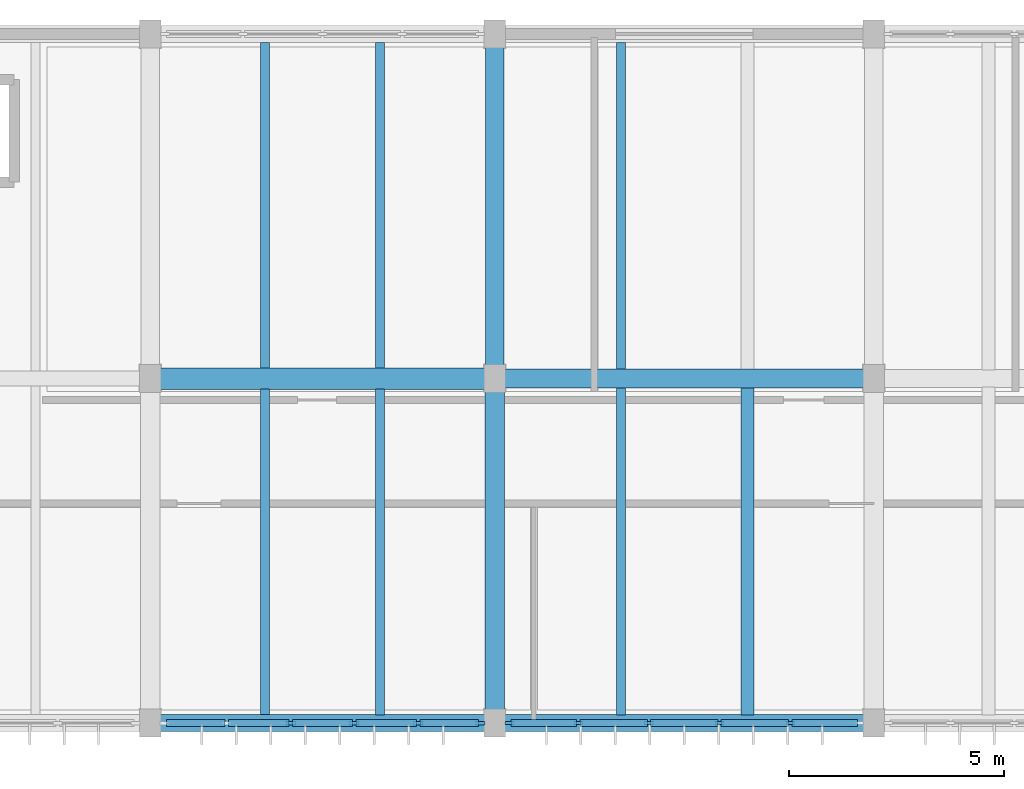
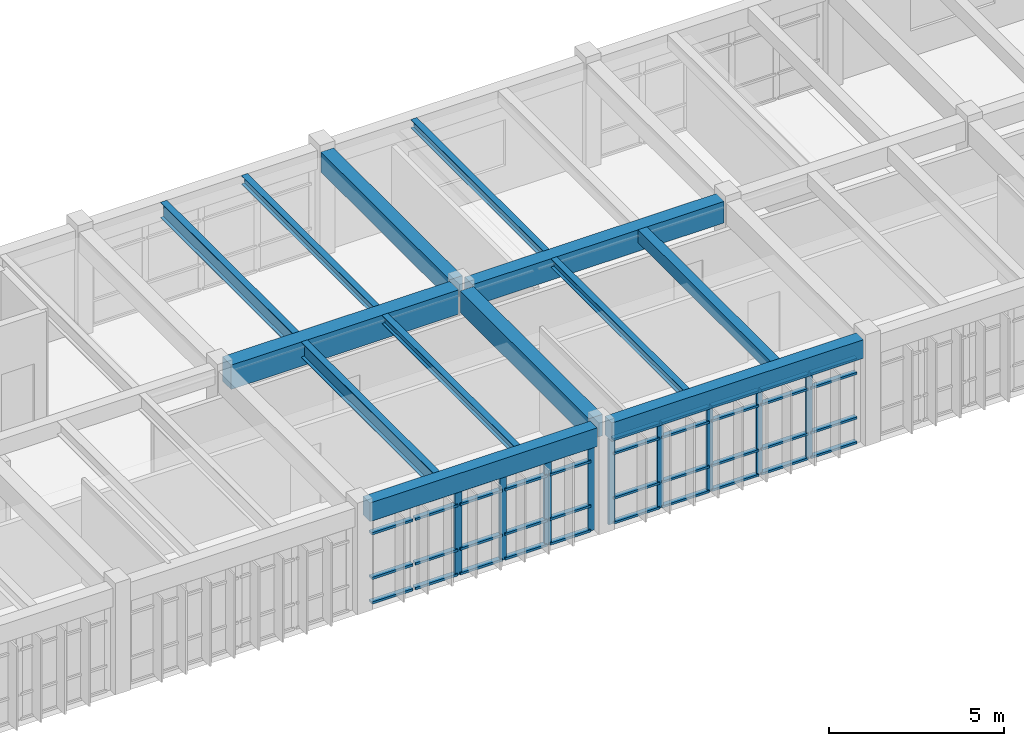
# One storey, part 4 of 15: 49 members, 13 beams, 2 elements without a shape of their own.
"""IFC4 building model written with IfcOpenShell, lengths in metres."""

from ifc_helpers import new_model, si_unit, direction, frame, origin, origin_2d, place, context, subcontext, project, spatial, rectangle, i_section, extrude, material, material_profile, profile_set, type_object, element, aggregate, save


model = new_model("IFC4")

# Units and contexts
model_context = context("Model", 3, precision=1e-05, world=origin(), true_north=direction((0.0, 1.0)))
body_context = subcontext(model_context, "Body", "Model", "MODEL_VIEW")
ifc_project = project(units=[si_unit("LENGTHUNIT", "METRE"), si_unit("AREAUNIT", "SQUARE_METRE"), si_unit("VOLUMEUNIT", "CUBIC_METRE"), si_unit("PLANEANGLEUNIT", "RADIAN"), si_unit("MASSUNIT", "GRAM", prefix="KILO")], contexts=[model_context])

# Site, building, storey
site_placement = place(None, origin())
site = spatial("IfcSite", under=ifc_project, at=site_placement, CompositionType="ELEMENT")
building_placement = place(site_placement, origin())
building = spatial("IfcBuilding", under=site, at=building_placement, Name="Tlaxcora Railside Police Headquarters", CompositionType="ELEMENT")
storey_placement = place(building_placement, frame((0.0, 0.0, 25.800048828125)))
storey = spatial("IfcBuildingStorey", under=building, at=storey_placement, Name="L06", CompositionType="ELEMENT", Elevation=25.800048828125)

# Curtain wall, members
ifc_material_1 = material(Name="Thermally broken low-E insulated glazing", Category="glass")
curtain_wall_type_1 = type_object("IfcCurtainWallType", Name="Unitised Curtain Wall Assembly CW-23", PredefinedType="NOTDEFINED", material=ifc_material_1)
curtain_wall_1_placement = place(storey_placement, origin())
curtain_wall_1 = element("IfcCurtainWall", 1, at=curtain_wall_1_placement, inside=storey, type_object=curtain_wall_type_1, Name="V5 L06 curtain wall 124", PredefinedType="NOTDEFINED")
ifc_material_2 = material(Name="Anodised aluminium framing", Category="aluminium")
ifc_material_profile_1 = material_profile(ifc_material_2, rectangle(XDim=0.080078125, YDim=0.219970703125, at=origin_2d()), Name="AL80X220")
ifc_profile_set_1 = profile_set([ifc_material_profile_1], Name="Anodised aluminium framing")
member_type_1 = type_object("IfcMemberType", Name="Curtain Wall Mullion CW-31", PredefinedType="MULLION", material=ifc_profile_set_1)
member_1_placement = place(storey_placement, frame((40.4599609375, 76.800048828125, 0.0), z_axis=(0.0, 0.0, 1.0), x_axis=(0.0, 1.0, 0.0)))
member_1 = element("IfcMember", 2, at=member_1_placement, type_object=member_type_1, Name="CW mullion 3", PredefinedType="MULLION", context=body_context, shape_type="SweptSolid", body=[
    extrude(rectangle(XDim=0.080078125, YDim=0.219970703125, at=origin_2d()), origin(), (0.0, 0.0, 1.0), 2.989990234375),
])
member_2_placement = place(storey_placement, frame((41.93994140625, 76.800048828125, 0.0), z_axis=(0.0, 0.0, 1.0), x_axis=(0.0, 1.0, 0.0)))
member_2 = element("IfcMember", 3, at=member_2_placement, type_object=member_type_1, Name="CW mullion 4", PredefinedType="MULLION", context=body_context, shape_type="SweptSolid", body=[
    extrude(rectangle(XDim=0.080078125, YDim=0.219970703125, at=origin_2d()), origin(), (0.0, 0.0, 1.0), 2.989990234375),
])
member_3_placement = place(storey_placement, frame((43.419921875, 76.800048828125, 0.0), z_axis=(0.0, 0.0, 1.0), x_axis=(0.0, 1.0, 0.0)))
member_3 = element("IfcMember", 4, at=member_3_placement, type_object=member_type_1, Name="CW mullion 5", PredefinedType="MULLION", context=body_context, shape_type="SweptSolid", body=[
    extrude(rectangle(XDim=0.080078125, YDim=0.219970703125, at=origin_2d()), origin(), (0.0, 0.0, 1.0), 2.989990234375),
])
member_4_placement = place(storey_placement, frame((44.860107421875, 76.800048828125, 0.0), z_axis=(0.0, 0.0, 1.0), x_axis=(0.0, 1.0, 0.0)))
member_4 = element("IfcMember", 5, at=member_4_placement, type_object=member_type_1, Name="CW mullion 6", PredefinedType="MULLION", context=body_context, shape_type="SweptSolid", body=[
    extrude(rectangle(XDim=0.080078125, YDim=0.219970703125, at=origin_2d()), origin(), (0.0, 0.0, 1.0), 2.989990234375),
])

curtain_wall_type_2 = type_object("IfcCurtainWallType", Name="Unitised Curtain Wall Assembly CW-38", PredefinedType="NOTDEFINED", material=ifc_material_1)
curtain_wall_2_placement = place(storey_placement, origin())
curtain_wall_2 = element("IfcCurtainWall", 6, at=curtain_wall_2_placement, inside=storey, type_object=curtain_wall_type_2, Name="V5 L06 curtain wall 125", PredefinedType="NOTDEFINED")
ifc_material_profile_2 = material_profile(ifc_material_2, rectangle(XDim=0.074951171875, YDim=0.205078125, at=origin_2d()), Name="AL75X205")
ifc_profile_set_2 = profile_set([ifc_material_profile_2], Name="Anodised aluminium framing")
member_type_2 = type_object("IfcMemberType", Name="Curtain Wall Mullion CW-32", PredefinedType="MULLION", material=ifc_profile_set_2)
member_5_placement = place(storey_placement, frame((45.53759765625, 76.800048828125, 0.0), z_axis=(0.0, 0.0, 1.0), x_axis=(0.0, 1.0, 0.0)))
member_5 = element("IfcMember", 7, at=member_5_placement, type_object=member_type_2, Name="CW mullion 1", PredefinedType="MULLION", context=body_context, shape_type="SweptSolid", body=[
    extrude(rectangle(XDim=0.074951171875, YDim=0.205078125, at=origin_2d()), origin(), (0.0, 0.0, 1.0), 2.989990234375),
])
member_6_placement = place(storey_placement, frame((47.139892578125, 76.800048828125, 0.0), z_axis=(0.0, 0.0, 1.0), x_axis=(0.0, 1.0, 0.0)))
member_6 = element("IfcMember", 8, at=member_6_placement, type_object=member_type_2, Name="CW mullion 2", PredefinedType="MULLION", context=body_context, shape_type="SweptSolid", body=[
    extrude(rectangle(XDim=0.074951171875, YDim=0.205078125, at=origin_2d()), origin(), (0.0, 0.0, 1.0), 2.989990234375),
])
member_7_placement = place(storey_placement, frame((48.780029296875, 76.800048828125, 0.0), z_axis=(0.0, 0.0, 1.0), x_axis=(0.0, 1.0, 0.0)))
member_7 = element("IfcMember", 9, at=member_7_placement, type_object=member_type_2, Name="CW mullion 3", PredefinedType="MULLION", context=body_context, shape_type="SweptSolid", body=[
    extrude(rectangle(XDim=0.074951171875, YDim=0.205078125, at=origin_2d()), origin(), (0.0, 0.0, 1.0), 2.989990234375),
])
member_8_placement = place(storey_placement, frame((50.419921875, 76.800048828125, 0.0), z_axis=(0.0, 0.0, 1.0), x_axis=(0.0, 1.0, 0.0)))
member_8 = element("IfcMember", 10, at=member_8_placement, type_object=member_type_2, Name="CW mullion 4", PredefinedType="MULLION", context=body_context, shape_type="SweptSolid", body=[
    extrude(rectangle(XDim=0.074951171875, YDim=0.205078125, at=origin_2d()), origin(), (0.0, 0.0, 1.0), 2.989990234375),
])
member_9_placement = place(storey_placement, frame((52.06005859375, 76.800048828125, 0.0), z_axis=(0.0, 0.0, 1.0), x_axis=(0.0, 1.0, 0.0)))
member_9 = element("IfcMember", 11, at=member_9_placement, type_object=member_type_2, Name="CW mullion 5", PredefinedType="MULLION", context=body_context, shape_type="SweptSolid", body=[
    extrude(rectangle(XDim=0.074951171875, YDim=0.205078125, at=origin_2d()), origin(), (0.0, 0.0, 1.0), 2.989990234375),
])
ifc_material_profile_3 = material_profile(ifc_material_2, rectangle(XDim=0.155029296875, YDim=0.074951171875, at=origin_2d()), Name="AL75X155")
ifc_profile_set_3 = profile_set([ifc_material_profile_3], Name="Anodised aluminium framing")
member_type_3 = type_object("IfcMemberType", Name="Curtain Wall Transom CW-30", PredefinedType="USERDEFINED", material=ifc_profile_set_3)
member_10_placement = place(storey_placement, frame((45.574951171875, 76.800048828125, 0.037353515625), z_axis=(1.0, 0.0, 0.0), x_axis=(0.0, 1.0, 0.0)))
member_10 = element("IfcMember", 12, at=member_10_placement, type_object=member_type_3, Name="CW transom 1.1", ObjectType="TRANSOM", PredefinedType="USERDEFINED", context=body_context, shape_type="SweptSolid", body=[
    extrude(rectangle(XDim=0.155029296875, YDim=0.074951171875, at=origin_2d()), origin(), (0.0, 0.0, 1.0), 1.527587890625),
])
member_11_placement = place(storey_placement, frame((45.574951171875, 76.800048828125, 0.89990234375), z_axis=(1.0, 0.0, 0.0), x_axis=(0.0, 1.0, 0.0)))
member_11 = element("IfcMember", 13, at=member_11_placement, type_object=member_type_3, Name="CW transom 1.2", ObjectType="TRANSOM", PredefinedType="USERDEFINED", context=body_context, shape_type="SweptSolid", body=[
    extrude(rectangle(XDim=0.155029296875, YDim=0.074951171875, at=origin_2d()), origin(), (0.0, 0.0, 1.0), 1.527587890625),
])
member_12_placement = place(storey_placement, frame((45.574951171875, 76.800048828125, 2.4599609375), z_axis=(1.0, 0.0, 0.0), x_axis=(0.0, 1.0, 0.0)))
member_12 = element("IfcMember", 14, at=member_12_placement, type_object=member_type_3, Name="CW transom 1.3", ObjectType="TRANSOM", PredefinedType="USERDEFINED", context=body_context, shape_type="SweptSolid", body=[
    extrude(rectangle(XDim=0.155029296875, YDim=0.074951171875, at=origin_2d()), origin(), (0.0, 0.0, 1.0), 1.527587890625),
])
member_13_placement = place(storey_placement, frame((45.574951171875, 76.800048828125, 2.952392578125), z_axis=(1.0, 0.0, 0.0), x_axis=(0.0, 1.0, 0.0)))
member_13 = element("IfcMember", 15, at=member_13_placement, type_object=member_type_3, Name="CW transom 1.4", ObjectType="TRANSOM", PredefinedType="USERDEFINED", context=body_context, shape_type="SweptSolid", body=[
    extrude(rectangle(XDim=0.155029296875, YDim=0.074951171875, at=origin_2d()), origin(), (0.0, 0.0, 1.0), 1.527587890625),
])
member_14_placement = place(storey_placement, frame((47.177490234375, 76.800048828125, 0.037353515625), z_axis=(1.0, 0.0, 0.0), x_axis=(0.0, 1.0, 0.0)))
member_14 = element("IfcMember", 16, at=member_14_placement, type_object=member_type_3, Name="CW transom 2.1", ObjectType="TRANSOM", PredefinedType="USERDEFINED", context=body_context, shape_type="SweptSolid", body=[
    extrude(rectangle(XDim=0.155029296875, YDim=0.074951171875, at=origin_2d()), origin(), (0.0, 0.0, 1.0), 1.56494140625),
])
member_15_placement = place(storey_placement, frame((47.177490234375, 76.800048828125, 0.89990234375), z_axis=(1.0, 0.0, 0.0), x_axis=(0.0, 1.0, 0.0)))
member_15 = element("IfcMember", 17, at=member_15_placement, type_object=member_type_3, Name="CW transom 2.2", ObjectType="TRANSOM", PredefinedType="USERDEFINED", context=body_context, shape_type="SweptSolid", body=[
    extrude(rectangle(XDim=0.155029296875, YDim=0.074951171875, at=origin_2d()), origin(), (0.0, 0.0, 1.0), 1.56494140625),
])
member_16_placement = place(storey_placement, frame((47.177490234375, 76.800048828125, 2.4599609375), z_axis=(1.0, 0.0, 0.0), x_axis=(0.0, 1.0, 0.0)))
member_16 = element("IfcMember", 18, at=member_16_placement, type_object=member_type_3, Name="CW transom 2.3", ObjectType="TRANSOM", PredefinedType="USERDEFINED", context=body_context, shape_type="SweptSolid", body=[
    extrude(rectangle(XDim=0.155029296875, YDim=0.074951171875, at=origin_2d()), origin(), (0.0, 0.0, 1.0), 1.56494140625),
])
member_17_placement = place(storey_placement, frame((47.177490234375, 76.800048828125, 2.952392578125), z_axis=(1.0, 0.0, 0.0), x_axis=(0.0, 1.0, 0.0)))
member_17 = element("IfcMember", 19, at=member_17_placement, type_object=member_type_3, Name="CW transom 2.4", ObjectType="TRANSOM", PredefinedType="USERDEFINED", context=body_context, shape_type="SweptSolid", body=[
    extrude(rectangle(XDim=0.155029296875, YDim=0.074951171875, at=origin_2d()), origin(), (0.0, 0.0, 1.0), 1.56494140625),
])
member_18_placement = place(storey_placement, frame((48.8173828125, 76.800048828125, 0.037353515625), z_axis=(1.0, 0.0, 0.0), x_axis=(0.0, 1.0, 0.0)))
member_18 = element("IfcMember", 20, at=member_18_placement, type_object=member_type_3, Name="CW transom 3.1", ObjectType="TRANSOM", PredefinedType="USERDEFINED", context=body_context, shape_type="SweptSolid", body=[
    extrude(rectangle(XDim=0.155029296875, YDim=0.074951171875, at=origin_2d()), origin(), (0.0, 0.0, 1.0), 1.565185546875),
])
member_19_placement = place(storey_placement, frame((48.8173828125, 76.800048828125, 0.89990234375), z_axis=(1.0, 0.0, 0.0), x_axis=(0.0, 1.0, 0.0)))
member_19 = element("IfcMember", 21, at=member_19_placement, type_object=member_type_3, Name="CW transom 3.2", ObjectType="TRANSOM", PredefinedType="USERDEFINED", context=body_context, shape_type="SweptSolid", body=[
    extrude(rectangle(XDim=0.155029296875, YDim=0.074951171875, at=origin_2d()), origin(), (0.0, 0.0, 1.0), 1.565185546875),
])
member_20_placement = place(storey_placement, frame((48.8173828125, 76.800048828125, 2.4599609375), z_axis=(1.0, 0.0, 0.0), x_axis=(0.0, 1.0, 0.0)))
member_20 = element("IfcMember", 22, at=member_20_placement, type_object=member_type_3, Name="CW transom 3.3", ObjectType="TRANSOM", PredefinedType="USERDEFINED", context=body_context, shape_type="SweptSolid", body=[
    extrude(rectangle(XDim=0.155029296875, YDim=0.074951171875, at=origin_2d()), origin(), (0.0, 0.0, 1.0), 1.565185546875),
])
member_21_placement = place(storey_placement, frame((48.8173828125, 76.800048828125, 2.952392578125), z_axis=(1.0, 0.0, 0.0), x_axis=(0.0, 1.0, 0.0)))
member_21 = element("IfcMember", 23, at=member_21_placement, type_object=member_type_3, Name="CW transom 3.4", ObjectType="TRANSOM", PredefinedType="USERDEFINED", context=body_context, shape_type="SweptSolid", body=[
    extrude(rectangle(XDim=0.155029296875, YDim=0.074951171875, at=origin_2d()), origin(), (0.0, 0.0, 1.0), 1.565185546875),
])
member_22_placement = place(storey_placement, frame((50.45751953125, 76.800048828125, 0.037353515625), z_axis=(1.0, 0.0, 0.0), x_axis=(0.0, 1.0, 0.0)))
member_22 = element("IfcMember", 24, at=member_22_placement, type_object=member_type_3, Name="CW transom 4.1", ObjectType="TRANSOM", PredefinedType="USERDEFINED", context=body_context, shape_type="SweptSolid", body=[
    extrude(rectangle(XDim=0.155029296875, YDim=0.074951171875, at=origin_2d()), origin(), (0.0, 0.0, 1.0), 1.56494140625),
])
member_23_placement = place(storey_placement, frame((50.45751953125, 76.800048828125, 0.89990234375), z_axis=(1.0, 0.0, 0.0), x_axis=(0.0, 1.0, 0.0)))
member_23 = element("IfcMember", 25, at=member_23_placement, type_object=member_type_3, Name="CW transom 4.2", ObjectType="TRANSOM", PredefinedType="USERDEFINED", context=body_context, shape_type="SweptSolid", body=[
    extrude(rectangle(XDim=0.155029296875, YDim=0.074951171875, at=origin_2d()), origin(), (0.0, 0.0, 1.0), 1.56494140625),
])
member_24_placement = place(storey_placement, frame((50.45751953125, 76.800048828125, 2.4599609375), z_axis=(1.0, 0.0, 0.0), x_axis=(0.0, 1.0, 0.0)))
member_24 = element("IfcMember", 26, at=member_24_placement, type_object=member_type_3, Name="CW transom 4.3", ObjectType="TRANSOM", PredefinedType="USERDEFINED", context=body_context, shape_type="SweptSolid", body=[
    extrude(rectangle(XDim=0.155029296875, YDim=0.074951171875, at=origin_2d()), origin(), (0.0, 0.0, 1.0), 1.56494140625),
])
member_25_placement = place(storey_placement, frame((50.45751953125, 76.800048828125, 2.952392578125), z_axis=(1.0, 0.0, 0.0), x_axis=(0.0, 1.0, 0.0)))
member_25 = element("IfcMember", 27, at=member_25_placement, type_object=member_type_3, Name="CW transom 4.4", ObjectType="TRANSOM", PredefinedType="USERDEFINED", context=body_context, shape_type="SweptSolid", body=[
    extrude(rectangle(XDim=0.155029296875, YDim=0.074951171875, at=origin_2d()), origin(), (0.0, 0.0, 1.0), 1.56494140625),
])
member_26_placement = place(storey_placement, frame((52.097412109375, 76.800048828125, 0.037353515625), z_axis=(1.0, 0.0, 0.0), x_axis=(0.0, 1.0, 0.0)))
member_26 = element("IfcMember", 28, at=member_26_placement, type_object=member_type_3, Name="CW transom 5.1", ObjectType="TRANSOM", PredefinedType="USERDEFINED", context=body_context, shape_type="SweptSolid", body=[
    extrude(rectangle(XDim=0.155029296875, YDim=0.074951171875, at=origin_2d()), origin(), (0.0, 0.0, 1.0), 1.527587890625),
])
member_27_placement = place(storey_placement, frame((52.097412109375, 76.800048828125, 0.89990234375), z_axis=(1.0, 0.0, 0.0), x_axis=(0.0, 1.0, 0.0)))
member_27 = element("IfcMember", 29, at=member_27_placement, type_object=member_type_3, Name="CW transom 5.2", ObjectType="TRANSOM", PredefinedType="USERDEFINED", context=body_context, shape_type="SweptSolid", body=[
    extrude(rectangle(XDim=0.155029296875, YDim=0.074951171875, at=origin_2d()), origin(), (0.0, 0.0, 1.0), 1.527587890625),
])
member_28_placement = place(storey_placement, frame((52.097412109375, 76.800048828125, 2.4599609375), z_axis=(1.0, 0.0, 0.0), x_axis=(0.0, 1.0, 0.0)))
member_28 = element("IfcMember", 30, at=member_28_placement, type_object=member_type_3, Name="CW transom 5.3", ObjectType="TRANSOM", PredefinedType="USERDEFINED", context=body_context, shape_type="SweptSolid", body=[
    extrude(rectangle(XDim=0.155029296875, YDim=0.074951171875, at=origin_2d()), origin(), (0.0, 0.0, 1.0), 1.527587890625),
])
member_29_placement = place(storey_placement, frame((52.097412109375, 76.800048828125, 2.952392578125), z_axis=(1.0, 0.0, 0.0), x_axis=(0.0, 1.0, 0.0)))
member_29 = element("IfcMember", 31, at=member_29_placement, type_object=member_type_3, Name="CW transom 5.4", ObjectType="TRANSOM", PredefinedType="USERDEFINED", context=body_context, shape_type="SweptSolid", body=[
    extrude(rectangle(XDim=0.155029296875, YDim=0.074951171875, at=origin_2d()), origin(), (0.0, 0.0, 1.0), 1.527587890625),
])
aggregate(curtain_wall_2, [member_5, member_6, member_7, member_8, member_9, member_10, member_11, member_12, member_13, member_14, member_15, member_16, member_17, member_18, member_19, member_20, member_21, member_22, member_23, member_24, member_25, member_26, member_27, member_28, member_29])

# Member
ifc_material_profile_4 = material_profile(ifc_material_2, rectangle(XDim=0.1650390625, YDim=0.080078125, at=origin_2d()), Name="AL80X165")
ifc_profile_set_4 = profile_set([ifc_material_profile_4], Name="Anodised aluminium framing")
member_type_4 = type_object("IfcMemberType", Name="Curtain Wall Transom CW-62", PredefinedType="USERDEFINED", material=ifc_profile_set_4)
member_30_placement = place(storey_placement, frame((37.580078125, 76.800048828125, 0.0400390625), z_axis=(1.0, 0.0, 0.0), x_axis=(0.0, 1.0, 0.0)))
member_30 = element("IfcMember", 32, at=member_30_placement, type_object=member_type_4, Name="CW transom 1.1", ObjectType="TRANSOM", PredefinedType="USERDEFINED", context=body_context, shape_type="SweptSolid", body=[
    extrude(rectangle(XDim=0.1650390625, YDim=0.080078125, at=origin_2d()), origin(), (0.0, 0.0, 1.0), 1.35986328125),
])

member_31_placement = place(storey_placement, frame((37.580078125, 76.800048828125, 0.89990234375), z_axis=(1.0, 0.0, 0.0), x_axis=(0.0, 1.0, 0.0)))
member_31 = element("IfcMember", 33, at=member_31_placement, type_object=member_type_4, Name="CW transom 1.2", ObjectType="TRANSOM", PredefinedType="USERDEFINED", context=body_context, shape_type="SweptSolid", body=[
    extrude(rectangle(XDim=0.1650390625, YDim=0.080078125, at=origin_2d()), origin(), (0.0, 0.0, 1.0), 1.35986328125),
])

member_32_placement = place(storey_placement, frame((37.580078125, 76.800048828125, 2.4599609375), z_axis=(1.0, 0.0, 0.0), x_axis=(0.0, 1.0, 0.0)))
member_32 = element("IfcMember", 34, at=member_32_placement, type_object=member_type_4, Name="CW transom 1.3", ObjectType="TRANSOM", PredefinedType="USERDEFINED", context=body_context, shape_type="SweptSolid", body=[
    extrude(rectangle(XDim=0.1650390625, YDim=0.080078125, at=origin_2d()), origin(), (0.0, 0.0, 1.0), 1.35986328125),
])

member_33_placement = place(storey_placement, frame((37.580078125, 76.800048828125, 2.949951171875), z_axis=(1.0, 0.0, 0.0), x_axis=(0.0, 1.0, 0.0)))
member_33 = element("IfcMember", 35, at=member_33_placement, type_object=member_type_4, Name="CW transom 1.4", ObjectType="TRANSOM", PredefinedType="USERDEFINED", context=body_context, shape_type="SweptSolid", body=[
    extrude(rectangle(XDim=0.1650390625, YDim=0.080078125, at=origin_2d()), origin(), (0.0, 0.0, 1.0), 1.35986328125),
])

member_34_placement = place(storey_placement, frame((39.02001953125, 76.800048828125, 0.0400390625), z_axis=(1.0, 0.0, 0.0), x_axis=(0.0, 1.0, 0.0)))
member_34 = element("IfcMember", 36, at=member_34_placement, type_object=member_type_4, Name="CW transom 2.1", ObjectType="TRANSOM", PredefinedType="USERDEFINED", context=body_context, shape_type="SweptSolid", body=[
    extrude(rectangle(XDim=0.1650390625, YDim=0.080078125, at=origin_2d()), origin(), (0.0, 0.0, 1.0), 1.39990234375),
])

member_35_placement = place(storey_placement, frame((39.02001953125, 76.800048828125, 0.89990234375), z_axis=(1.0, 0.0, 0.0), x_axis=(0.0, 1.0, 0.0)))
member_35 = element("IfcMember", 37, at=member_35_placement, type_object=member_type_4, Name="CW transom 2.2", ObjectType="TRANSOM", PredefinedType="USERDEFINED", context=body_context, shape_type="SweptSolid", body=[
    extrude(rectangle(XDim=0.1650390625, YDim=0.080078125, at=origin_2d()), origin(), (0.0, 0.0, 1.0), 1.39990234375),
])

member_36_placement = place(storey_placement, frame((39.02001953125, 76.800048828125, 2.4599609375), z_axis=(1.0, 0.0, 0.0), x_axis=(0.0, 1.0, 0.0)))
member_36 = element("IfcMember", 38, at=member_36_placement, type_object=member_type_4, Name="CW transom 2.3", ObjectType="TRANSOM", PredefinedType="USERDEFINED", context=body_context, shape_type="SweptSolid", body=[
    extrude(rectangle(XDim=0.1650390625, YDim=0.080078125, at=origin_2d()), origin(), (0.0, 0.0, 1.0), 1.39990234375),
])

member_37_placement = place(storey_placement, frame((39.02001953125, 76.800048828125, 2.949951171875), z_axis=(1.0, 0.0, 0.0), x_axis=(0.0, 1.0, 0.0)))
member_37 = element("IfcMember", 39, at=member_37_placement, type_object=member_type_4, Name="CW transom 2.4", ObjectType="TRANSOM", PredefinedType="USERDEFINED", context=body_context, shape_type="SweptSolid", body=[
    extrude(rectangle(XDim=0.1650390625, YDim=0.080078125, at=origin_2d()), origin(), (0.0, 0.0, 1.0), 1.39990234375),
])

member_38_placement = place(storey_placement, frame((40.5, 76.800048828125, 0.0400390625), z_axis=(1.0, 0.0, 0.0), x_axis=(0.0, 1.0, 0.0)))
member_38 = element("IfcMember", 40, at=member_38_placement, type_object=member_type_4, Name="CW transom 3.1", ObjectType="TRANSOM", PredefinedType="USERDEFINED", context=body_context, shape_type="SweptSolid", body=[
    extrude(rectangle(XDim=0.1650390625, YDim=0.080078125, at=origin_2d()), origin(), (0.0, 0.0, 1.0), 1.39990234375),
])

member_39_placement = place(storey_placement, frame((40.5, 76.800048828125, 0.89990234375), z_axis=(1.0, 0.0, 0.0), x_axis=(0.0, 1.0, 0.0)))
member_39 = element("IfcMember", 41, at=member_39_placement, type_object=member_type_4, Name="CW transom 3.2", ObjectType="TRANSOM", PredefinedType="USERDEFINED", context=body_context, shape_type="SweptSolid", body=[
    extrude(rectangle(XDim=0.1650390625, YDim=0.080078125, at=origin_2d()), origin(), (0.0, 0.0, 1.0), 1.39990234375),
])

member_40_placement = place(storey_placement, frame((40.5, 76.800048828125, 2.4599609375), z_axis=(1.0, 0.0, 0.0), x_axis=(0.0, 1.0, 0.0)))
member_40 = element("IfcMember", 42, at=member_40_placement, type_object=member_type_4, Name="CW transom 3.3", ObjectType="TRANSOM", PredefinedType="USERDEFINED", context=body_context, shape_type="SweptSolid", body=[
    extrude(rectangle(XDim=0.1650390625, YDim=0.080078125, at=origin_2d()), origin(), (0.0, 0.0, 1.0), 1.39990234375),
])

member_41_placement = place(storey_placement, frame((40.5, 76.800048828125, 2.949951171875), z_axis=(1.0, 0.0, 0.0), x_axis=(0.0, 1.0, 0.0)))
member_41 = element("IfcMember", 43, at=member_41_placement, type_object=member_type_4, Name="CW transom 3.4", ObjectType="TRANSOM", PredefinedType="USERDEFINED", context=body_context, shape_type="SweptSolid", body=[
    extrude(rectangle(XDim=0.1650390625, YDim=0.080078125, at=origin_2d()), origin(), (0.0, 0.0, 1.0), 1.39990234375),
])

member_42_placement = place(storey_placement, frame((41.97998046875, 76.800048828125, 0.0400390625), z_axis=(1.0, 0.0, 0.0), x_axis=(0.0, 1.0, 0.0)))
member_42 = element("IfcMember", 44, at=member_42_placement, type_object=member_type_4, Name="CW transom 4.1", ObjectType="TRANSOM", PredefinedType="USERDEFINED", context=body_context, shape_type="SweptSolid", body=[
    extrude(rectangle(XDim=0.1650390625, YDim=0.080078125, at=origin_2d()), origin(), (0.0, 0.0, 1.0), 1.39990234375),
])

member_43_placement = place(storey_placement, frame((41.97998046875, 76.800048828125, 0.89990234375), z_axis=(1.0, 0.0, 0.0), x_axis=(0.0, 1.0, 0.0)))
member_43 = element("IfcMember", 45, at=member_43_placement, type_object=member_type_4, Name="CW transom 4.2", ObjectType="TRANSOM", PredefinedType="USERDEFINED", context=body_context, shape_type="SweptSolid", body=[
    extrude(rectangle(XDim=0.1650390625, YDim=0.080078125, at=origin_2d()), origin(), (0.0, 0.0, 1.0), 1.39990234375),
])

member_44_placement = place(storey_placement, frame((41.97998046875, 76.800048828125, 2.4599609375), z_axis=(1.0, 0.0, 0.0), x_axis=(0.0, 1.0, 0.0)))
member_44 = element("IfcMember", 46, at=member_44_placement, type_object=member_type_4, Name="CW transom 4.3", ObjectType="TRANSOM", PredefinedType="USERDEFINED", context=body_context, shape_type="SweptSolid", body=[
    extrude(rectangle(XDim=0.1650390625, YDim=0.080078125, at=origin_2d()), origin(), (0.0, 0.0, 1.0), 1.39990234375),
])

member_45_placement = place(storey_placement, frame((41.97998046875, 76.800048828125, 2.949951171875), z_axis=(1.0, 0.0, 0.0), x_axis=(0.0, 1.0, 0.0)))
member_45 = element("IfcMember", 47, at=member_45_placement, type_object=member_type_4, Name="CW transom 4.4", ObjectType="TRANSOM", PredefinedType="USERDEFINED", context=body_context, shape_type="SweptSolid", body=[
    extrude(rectangle(XDim=0.1650390625, YDim=0.080078125, at=origin_2d()), origin(), (0.0, 0.0, 1.0), 1.39990234375),
])

member_46_placement = place(storey_placement, frame((43.4599609375, 76.800048828125, 0.0400390625), z_axis=(1.0, 0.0, 0.0), x_axis=(0.0, 1.0, 0.0)))
member_46 = element("IfcMember", 48, at=member_46_placement, type_object=member_type_4, Name="CW transom 5.1", ObjectType="TRANSOM", PredefinedType="USERDEFINED", context=body_context, shape_type="SweptSolid", body=[
    extrude(rectangle(XDim=0.1650390625, YDim=0.080078125, at=origin_2d()), origin(), (0.0, 0.0, 1.0), 1.360107421875),
])

member_47_placement = place(storey_placement, frame((43.4599609375, 76.800048828125, 0.89990234375), z_axis=(1.0, 0.0, 0.0), x_axis=(0.0, 1.0, 0.0)))
member_47 = element("IfcMember", 49, at=member_47_placement, type_object=member_type_4, Name="CW transom 5.2", ObjectType="TRANSOM", PredefinedType="USERDEFINED", context=body_context, shape_type="SweptSolid", body=[
    extrude(rectangle(XDim=0.1650390625, YDim=0.080078125, at=origin_2d()), origin(), (0.0, 0.0, 1.0), 1.360107421875),
])

member_48_placement = place(storey_placement, frame((43.4599609375, 76.800048828125, 2.4599609375), z_axis=(1.0, 0.0, 0.0), x_axis=(0.0, 1.0, 0.0)))
member_48 = element("IfcMember", 50, at=member_48_placement, type_object=member_type_4, Name="CW transom 5.3", ObjectType="TRANSOM", PredefinedType="USERDEFINED", context=body_context, shape_type="SweptSolid", body=[
    extrude(rectangle(XDim=0.1650390625, YDim=0.080078125, at=origin_2d()), origin(), (0.0, 0.0, 1.0), 1.360107421875),
])

member_49_placement = place(storey_placement, frame((43.4599609375, 76.800048828125, 2.949951171875), z_axis=(1.0, 0.0, 0.0), x_axis=(0.0, 1.0, 0.0)))
member_49 = element("IfcMember", 51, at=member_49_placement, type_object=member_type_4, Name="CW transom 5.4", ObjectType="TRANSOM", PredefinedType="USERDEFINED", context=body_context, shape_type="SweptSolid", body=[
    extrude(rectangle(XDim=0.1650390625, YDim=0.080078125, at=origin_2d()), origin(), (0.0, 0.0, 1.0), 1.360107421875),
])

aggregate(curtain_wall_1, [member_1, member_2, member_3, member_4, member_30, member_31, member_32, member_33, member_34, member_35, member_36, member_37, member_38, member_39, member_40, member_41, member_42, member_43, member_44, member_45, member_46, member_47, member_48, member_49])

# Beams
ifc_material_3 = material(Name="Concrete C40/50", Category="concrete")
ifc_material_profile_5 = material_profile(ifc_material_3, rectangle(XDim=0.39990234375, YDim=0.64990234375, at=origin_2d()), Name="RC400X650")
ifc_profile_set_5 = profile_set([ifc_material_profile_5], Name="Concrete C40/50")
beam_type_1 = type_object("IfcBeamType", Name="Perimeter Spandrel Beam BM-46", PredefinedType="SPANDREL", material=ifc_profile_set_5)
beam_1_placement = place(storey_placement, frame((37.43994140625, 76.800048828125, 3.3349609375), z_axis=(1.0, 0.0, 0.0), x_axis=(0.0, 1.0, 0.0)))
element("IfcBeam", 52, at=beam_1_placement, inside=storey, type_object=beam_type_1, Name="V5 L06 X-girder Y=76.8", PredefinedType="SPANDREL", context=body_context, shape_type="SweptSolid", body=[
    extrude(rectangle(XDim=0.39990234375, YDim=0.64990234375, at=origin_2d()), origin(), (0.0, 0.0, 1.0), 7.52001953125),
])
beam_2_placement = place(storey_placement, frame((45.43994140625, 76.800048828125, 3.3349609375), z_axis=(1.0, 0.0, 0.0), x_axis=(0.0, 1.0, 0.0)))
element("IfcBeam", 53, at=beam_2_placement, inside=storey, type_object=beam_type_1, Name="V5 L06 X-girder Y=76.8", PredefinedType="SPANDREL", context=body_context, shape_type="SweptSolid", body=[
    extrude(rectangle(XDim=0.39990234375, YDim=0.64990234375, at=origin_2d()), origin(), (0.0, 0.0, 1.0), 8.320068359375),
])
ifc_material_profile_6 = material_profile(ifc_material_3, rectangle(XDim=0.419921875, YDim=0.699951171875, at=origin_2d()), Name="RC420X700")
ifc_profile_set_6 = profile_set([ifc_material_profile_6], Name="Concrete C40/50")
beam_type_2 = type_object("IfcBeamType", Name="Primary Frame Girder BM-35", PredefinedType="BEAM", material=ifc_profile_set_6)
beam_3_placement = place(storey_placement, frame((45.199951171875, 85.114990234375, 3.31005859375), z_axis=(0.0, 1.0, 0.0), x_axis=(-1.0, 0.0, 0.0)))
element("IfcBeam", 54, at=beam_3_placement, inside=storey, type_object=beam_type_2, Name="V5 L06 Y-girder X=45.2", PredefinedType="BEAM", context=body_context, shape_type="SweptSolid", body=[
    extrude(rectangle(XDim=0.419921875, YDim=0.699951171875, at=origin_2d()), origin(), (0.0, 0.0, 1.0), 7.3701171875),
])
ifc_material_profile_7 = material_profile(ifc_material_3, rectangle(XDim=0.5, YDim=0.85009765625, at=origin_2d()), Name="RC500X850")
ifc_profile_set_7 = profile_set([ifc_material_profile_7], Name="Concrete C40/50")
beam_type_3 = type_object("IfcBeamType", Name="Primary Frame Girder BM-64", PredefinedType="BEAM", material=ifc_profile_set_7)
beam_4_placement = place(storey_placement, frame((37.43994140625, 84.800048828125, 3.23486328125), z_axis=(1.0, 0.0, 0.0), x_axis=(0.0, 1.0, 0.0)))
element("IfcBeam", 55, at=beam_4_placement, inside=storey, type_object=beam_type_3, Name="V5 L06 X-girder Y=84.8", PredefinedType="BEAM", context=body_context, shape_type="SweptSolid", body=[
    extrude(rectangle(XDim=0.5, YDim=0.85009765625, at=origin_2d()), origin(), (0.0, 0.0, 1.0), 7.52001953125),
])
ifc_material_profile_8 = material_profile(ifc_material_3, rectangle(XDim=0.449951171875, YDim=0.75, at=origin_2d()), Name="RC450X750")
ifc_profile_set_8 = profile_set([ifc_material_profile_8], Name="Concrete C40/50")
beam_type_4 = type_object("IfcBeamType", Name="Primary Frame Girder BM-73", PredefinedType="BEAM", material=ifc_profile_set_8)
beam_5_placement = place(storey_placement, frame((45.43994140625, 84.800048828125, 3.284912109375), z_axis=(1.0, 0.0, 0.0), x_axis=(0.0, 1.0, 0.0)))
element("IfcBeam", 56, at=beam_5_placement, inside=storey, type_object=beam_type_4, Name="V5 L06 X-girder Y=84.8", PredefinedType="BEAM", context=body_context, shape_type="SweptSolid", body=[
    extrude(rectangle(XDim=0.449951171875, YDim=0.75, at=origin_2d()), origin(), (0.0, 0.0, 1.0), 8.320068359375),
])
beam_6_placement = place(storey_placement, frame((45.199951171875, 77.114990234375, 3.284912109375), z_axis=(0.0, 1.0, 0.0), x_axis=(-1.0, 0.0, 0.0)))
element("IfcBeam", 57, at=beam_6_placement, inside=storey, type_object=beam_type_4, Name="V5 L06 Y-girder X=45.2", PredefinedType="BEAM", context=body_context, shape_type="SweptSolid", body=[
    extrude(rectangle(XDim=0.449951171875, YDim=0.75, at=origin_2d()), origin(), (0.0, 0.0, 1.0), 7.3701171875),
])
ifc_material_4 = material(Name="Concrete C35/45", Category="concrete")
ifc_material_profile_9 = material_profile(ifc_material_4, rectangle(XDim=0.300048828125, YDim=0.449951171875, at=origin_2d()), Name="RC300X450")
ifc_profile_set_9 = profile_set([ifc_material_profile_9], Name="Concrete C35/45")
beam_type_5 = type_object("IfcBeamType", Name="Secondary Floor Joist BM-27", PredefinedType="JOIST", material=ifc_profile_set_9)
beam_7_placement = place(storey_placement, frame((51.066650390625, 76.991943359375, 3.43505859375), z_axis=(0.0, 1.0, 0.0), x_axis=(-1.0, 0.0, 0.0)))
element("IfcBeam", 58, at=beam_7_placement, inside=storey, type_object=beam_type_5, Name="V5 L06 floor joist X=51.07", PredefinedType="JOIST", context=body_context, shape_type="SweptSolid", body=[
    extrude(rectangle(XDim=0.300048828125, YDim=0.449951171875, at=origin_2d()), origin(), (0.0, 0.0, 1.0), 7.591064453125),
])
ifc_material_5 = material(Name="Steel ASTM A992 Grade 50", Category="steel")
ifc_material_profile_10 = material_profile(ifc_material_5, i_section(OverallWidth=0.202880859375, OverallDepth=0.302978515625, WebThickness=0.007568359375, FlangeThickness=0.01318359375, at=origin_2d()), Name="W12X40")
ifc_profile_set_10 = profile_set([ifc_material_profile_10], Name="Steel ASTM A992 Grade 50")
beam_type_6 = type_object("IfcBeamType", Name="Secondary Floor Joist BM-96", PredefinedType="JOIST", material=ifc_profile_set_10)
beam_8_placement = place(storey_placement, frame((42.533203125, 76.991943359375, 3.508544921875), z_axis=(0.0, 1.0, 0.0), x_axis=(-1.0, 0.0, 0.0)))
element("IfcBeam", 59, at=beam_8_placement, inside=storey, type_object=beam_type_6, Name="V5 L06 floor joist X=42.53", PredefinedType="JOIST", context=body_context, shape_type="SweptSolid", body=[
    extrude(i_section(OverallWidth=0.202880859375, OverallDepth=0.302978515625, WebThickness=0.007568359375, FlangeThickness=0.01318359375, at=origin_2d()), origin(), (0.0, 0.0, 1.0), 7.566162109375),
])
beam_9_placement = place(storey_placement, frame((48.13330078125, 76.991943359375, 3.508544921875), z_axis=(0.0, 1.0, 0.0), x_axis=(-1.0, 0.0, 0.0)))
element("IfcBeam", 60, at=beam_9_placement, inside=storey, type_object=beam_type_6, Name="V5 L06 floor joist X=48.13", PredefinedType="JOIST", context=body_context, shape_type="SweptSolid", body=[
    extrude(i_section(OverallWidth=0.202880859375, OverallDepth=0.302978515625, WebThickness=0.007568359375, FlangeThickness=0.01318359375, at=origin_2d()), origin(), (0.0, 0.0, 1.0), 7.591064453125),
])
beam_10_placement = place(storey_placement, frame((42.533203125, 85.0419921875, 3.508544921875), z_axis=(0.0, 1.0, 0.0), x_axis=(-1.0, 0.0, 0.0)))
element("IfcBeam", 61, at=beam_10_placement, inside=storey, type_object=beam_type_6, Name="V5 L06 floor joist X=42.53", PredefinedType="JOIST", context=body_context, shape_type="SweptSolid", body=[
    extrude(i_section(OverallWidth=0.202880859375, OverallDepth=0.302978515625, WebThickness=0.007568359375, FlangeThickness=0.01318359375, at=origin_2d()), origin(), (0.0, 0.0, 1.0), 7.56591796875),
])
beam_11_placement = place(storey_placement, frame((48.13330078125, 85.01708984375, 3.508544921875), z_axis=(0.0, 1.0, 0.0), x_axis=(-1.0, 0.0, 0.0)))
element("IfcBeam", 62, at=beam_11_placement, inside=storey, type_object=beam_type_6, Name="V5 L06 floor joist X=48.13", PredefinedType="JOIST", context=body_context, shape_type="SweptSolid", body=[
    extrude(i_section(OverallWidth=0.202880859375, OverallDepth=0.302978515625, WebThickness=0.007568359375, FlangeThickness=0.01318359375, at=origin_2d()), origin(), (0.0, 0.0, 1.0), 7.5908203125),
])
ifc_material_profile_11 = material_profile(ifc_material_5, i_section(OverallWidth=0.214111328125, OverallDepth=0.549072265625, WebThickness=0.0146484375, FlangeThickness=0.023681640625, at=origin_2d()), Name="W21X93")
ifc_profile_set_11 = profile_set([ifc_material_profile_11], Name="Steel ASTM A992 Grade 50")
beam_type_7 = type_object("IfcBeamType", Name="Secondary Floor Joist BM-97", PredefinedType="JOIST", material=ifc_profile_set_11)
beam_12_placement = place(storey_placement, frame((39.86669921875, 76.991943359375, 3.385498046875), z_axis=(0.0, 1.0, 0.0), x_axis=(-1.0, 0.0, 0.0)))
element("IfcBeam", 63, at=beam_12_placement, inside=storey, type_object=beam_type_7, Name="V5 L06 floor joist X=39.87", PredefinedType="JOIST", context=body_context, shape_type="SweptSolid", body=[
    extrude(i_section(OverallWidth=0.214111328125, OverallDepth=0.549072265625, WebThickness=0.0146484375, FlangeThickness=0.023681640625, at=origin_2d()), origin(), (0.0, 0.0, 1.0), 7.566162109375),
])
beam_13_placement = place(storey_placement, frame((39.86669921875, 85.0419921875, 3.385498046875), z_axis=(0.0, 1.0, 0.0), x_axis=(-1.0, 0.0, 0.0)))
element("IfcBeam", 64, at=beam_13_placement, inside=storey, type_object=beam_type_7, Name="V5 L06 floor joist X=39.87", PredefinedType="JOIST", context=body_context, shape_type="SweptSolid", body=[
    extrude(i_section(OverallWidth=0.214111328125, OverallDepth=0.549072265625, WebThickness=0.0146484375, FlangeThickness=0.023681640625, at=origin_2d()), origin(), (0.0, 0.0, 1.0), 7.56591796875),
])

save(model, "model.ifc")
